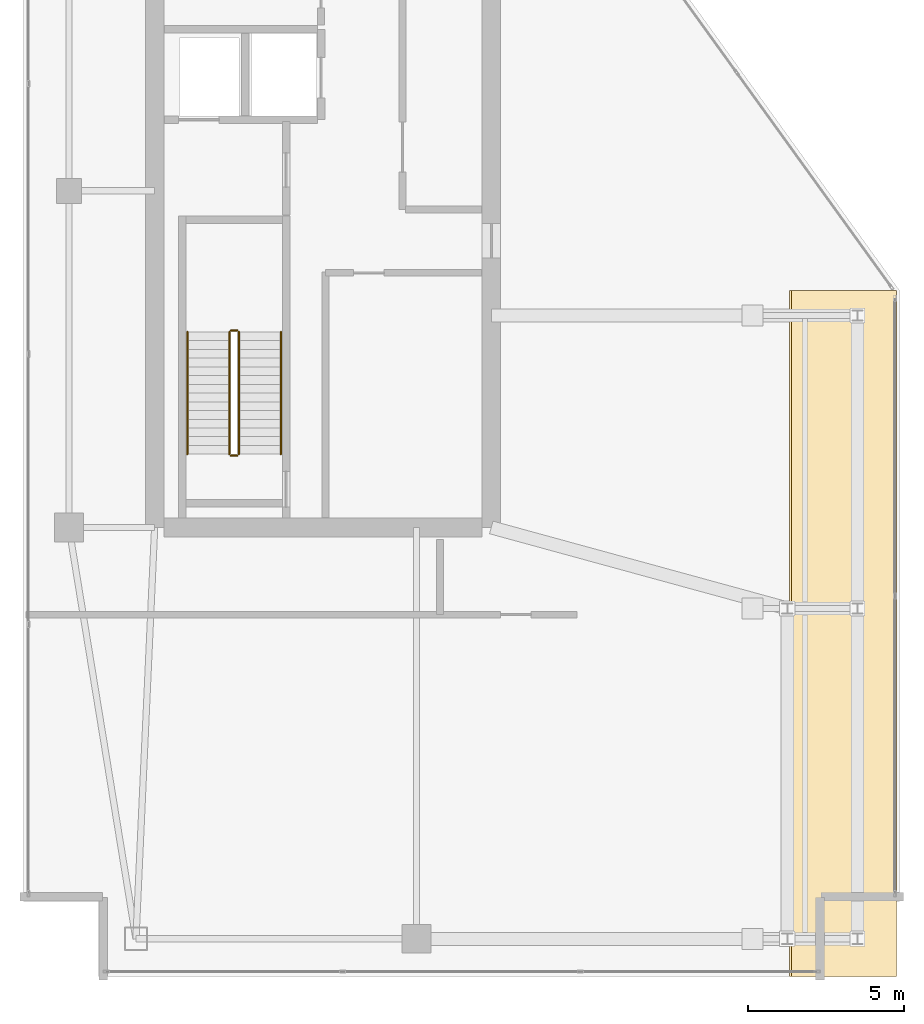
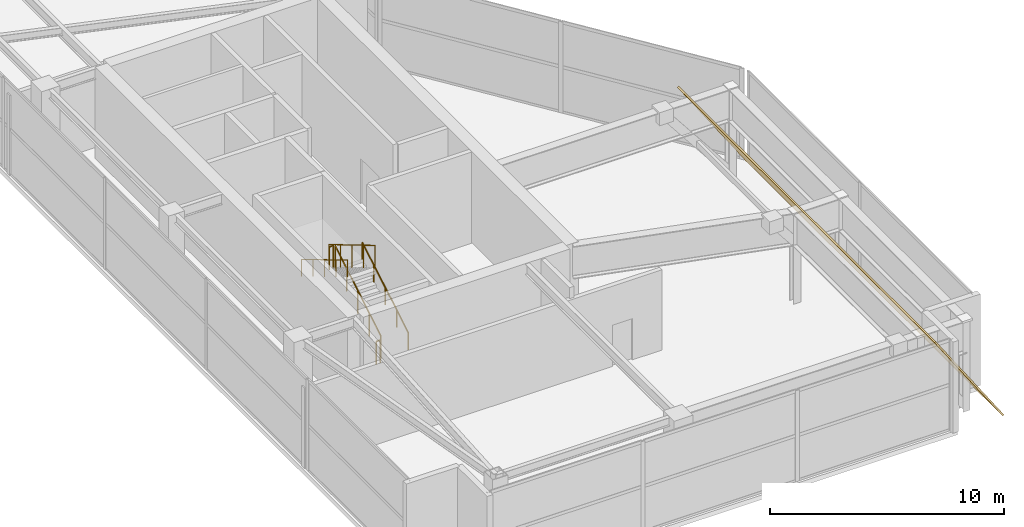
# One storey, part 20 of 21: 6 railings, 1 covering.
"""IFC4 building model written with IfcOpenShell, lengths in metres."""

from ifc_helpers import new_model, si_unit, direction, frame, origin, origin_2d, place, context, subcontext, project, spatial, polyline, circle, outline, extrude, material, layer, layer_set, type_object, element, save


model = new_model("IFC4")

# Units and contexts
model_context = context("Model", 3, precision=1e-05, world=origin(), true_north=direction((0.0, 1.0)))
body_context = subcontext(model_context, "Body", "Model", "MODEL_VIEW")
ifc_project = project(units=[si_unit("LENGTHUNIT", "METRE"), si_unit("AREAUNIT", "SQUARE_METRE"), si_unit("VOLUMEUNIT", "CUBIC_METRE"), si_unit("PLANEANGLEUNIT", "RADIAN"), si_unit("MASSUNIT", "GRAM", prefix="KILO")], contexts=[model_context])

# Site, building, storey
site_placement = place(None, origin())
site = spatial("IfcSite", under=ifc_project, at=site_placement, CompositionType="ELEMENT")
building_placement = place(site_placement, origin())
building = spatial("IfcBuilding", under=site, at=building_placement, Name="Calvorn Quay Hotel", CompositionType="ELEMENT")
storey_placement = place(building_placement, frame((0.0, 0.0, 330.5)))
storey = spatial("IfcBuildingStorey", under=building, at=storey_placement, Name="L81", CompositionType="ELEMENT", Elevation=330.5)

# Covering
ifc_material_1 = material(Name="Insulated Elastomeric Waterproof Roofing")
ifc_layer = layer(ifc_material_1, 0.080078125)
ifc_layer_set = layer_set([ifc_layer], Name="COV-ROOF-MEMBRANE")
covering_type = type_object("IfcCoveringType", Name="COV-ROOF-MEMBRANE", PredefinedType="ROOFING", material=ifc_layer_set)
covering_placement = place(storey_placement, frame((24.633056640625, 2.39990234375, 5.0), z_axis=(0.829467945926, 0.0, 0.55855431847), x_axis=(0.55855431847, 0.0, -0.829467945926)))
element("IfcCovering", 1, at=covering_placement, inside=storey, type_object=covering_type, Name="Slanted-Cut Crown Roof Cladding L81", PredefinedType="ROOFING", context=body_context, shape_type="SweptSolid", body=[
    extrude(outline(polyline([(0.0, 0.0), (6.027960483052241, 0.0), (6.027960483052241, 22.0), (0.0, 22.0), (0.0, 0.0)])), origin(), (0.0, 0.0, -1.0), 0.080078125),
])

# Railings
ifc_material_2 = material(Name="Brushed Stainless Steel Handrail", Category="steel")
railing_type_1 = type_object("IfcRailingType", Name="RLG-HANDRAIL-900", PredefinedType="HANDRAIL", material=ifc_material_2)
railing_1_placement = place(storey_placement, frame((8.25, 19.14990234375, 0.166748046875)))
element("IfcRailing", 2, at=railing_1_placement, inside=storey, type_object=railing_type_1, Name="L81 ST-W stair handrail 1", PredefinedType="HANDRAIL", context=body_context, shape_type="SweptSolid", body=[
    extrude(circle(Radius=0.02392578125, at=origin_2d()), frame((0.0, 0.0, 0.8759765625), z_axis=(0.0, 0.859310244771, 0.511454693235), x_axis=(-1.0, 0.0, 0.0)), (0.0, 0.0, 1.0), 4.56201171875),
    extrude(circle(Radius=0.02099609375, at=origin_2d()), origin(), (0.0, 0.0, 1.0), 0.851806640625),
    extrude(circle(Radius=0.02099609375, at=origin_2d()), frame((0.0, 0.97998046875, 0.583251953125)), (0.0, 0.0, 1.0), 0.851806640625),
    extrude(circle(Radius=0.02099609375, at=origin_2d()), frame((0.0, 1.9599609375, 1.16650390625)), (0.0, 0.0, 1.0), 0.851806640625),
    extrude(circle(Radius=0.02099609375, at=origin_2d()), frame((0.0, 2.940185546875, 1.75)), (0.0, 0.0, 1.0), 0.851806640625),
    extrude(circle(Radius=0.02099609375, at=origin_2d()), frame((0.0, 3.920166015625, 2.333251953125)), (0.0, 0.0, 1.0), 0.851806640625),
])
railing_2_placement = place(storey_placement, frame((5.25, 23.070068359375, 2.666748046875)))
element("IfcRailing", 3, at=railing_2_placement, inside=storey, type_object=railing_type_1, Name="L81 ST-W stair handrail 2", PredefinedType="HANDRAIL", context=body_context, shape_type="SweptSolid", body=[
    extrude(circle(Radius=0.02392578125, at=origin_2d()), frame((0.0, 0.0, 0.8759765625), z_axis=(0.0, -0.859310244771, 0.511454693235), x_axis=(1.0, 0.0, 0.0)), (0.0, 0.0, 1.0), 4.56201171875),
    extrude(circle(Radius=0.02099609375, at=origin_2d()), origin(), (0.0, 0.0, 1.0), 0.851806640625),
    extrude(circle(Radius=0.02099609375, at=origin_2d()), frame((0.0, -0.97998046875, 0.583251953125)), (0.0, 0.0, 1.0), 0.851806640625),
    extrude(circle(Radius=0.02099609375, at=origin_2d()), frame((0.0, -1.9599609375, 1.16650390625)), (0.0, 0.0, 1.0), 0.851806640625),
    extrude(circle(Radius=0.02099609375, at=origin_2d()), frame((0.0, -2.940185546875, 1.75)), (0.0, 0.0, 1.0), 0.851806640625),
    extrude(circle(Radius=0.02099609375, at=origin_2d()), frame((0.0, -3.920166015625, 2.333251953125)), (0.0, 0.0, 1.0), 0.851806640625),
])
ifc_material_3 = material(Name="Painted Galvanised Steel Balustrade", Category="steel")
railing_type_2 = type_object("IfcRailingType", Name="RLG-STAIR-GUARD-1120", PredefinedType="GUARDRAIL", material=ifc_material_3)
railing_3_placement = place(storey_placement, frame((6.89990234375, 19.14990234375, 0.166748046875)))
element("IfcRailing", 4, at=railing_3_placement, inside=storey, type_object=railing_type_2, Name="L81 ST-W stair guard 1", PredefinedType="GUARDRAIL", context=body_context, shape_type="SweptSolid", body=[
    extrude(circle(Radius=0.02392578125, at=origin_2d()), frame((0.0, 0.0, 1.17578125), z_axis=(0.0, 0.859310244771, 0.511454693235), x_axis=(-1.0, 0.0, 0.0)), (0.0, 0.0, 1.0), 4.56201171875),
    extrude(circle(Radius=0.02099609375, at=origin_2d()), origin(), (0.0, 0.0, 1.0), 1.15185546875),
    extrude(circle(Radius=0.02099609375, at=origin_2d()), frame((0.0, 0.97998046875, 0.583251953125)), (0.0, 0.0, 1.0), 1.15185546875),
    extrude(circle(Radius=0.02099609375, at=origin_2d()), frame((0.0, 1.9599609375, 1.16650390625)), (0.0, 0.0, 1.0), 1.15185546875),
    extrude(circle(Radius=0.02099609375, at=origin_2d()), frame((0.0, 2.940185546875, 1.75)), (0.0, 0.0, 1.0), 1.15185546875),
    extrude(circle(Radius=0.02099609375, at=origin_2d()), frame((0.0, 3.920166015625, 2.333251953125)), (0.0, 0.0, 1.0), 1.15185546875),
])
railing_4_placement = place(storey_placement, frame((6.85009765625, 23.1201171875, 2.5)))
element("IfcRailing", 5, at=railing_4_placement, inside=storey, type_object=railing_type_2, Name="L81 ST-W stair guard 2", PredefinedType="GUARDRAIL", context=body_context, shape_type="SweptSolid", body=[
    extrude(circle(Radius=0.02392578125, at=origin_2d()), frame((0.0, 0.0, 1.17578125), z_axis=(-1.0, 0.0, 0.0), x_axis=(0.0, -1.0, 0.0)), (0.0, 0.0, 1.0), 0.2001953125),
    extrude(circle(Radius=0.02099609375, at=origin_2d()), origin(), (0.0, 0.0, 1.0), 1.15185546875),
    extrude(circle(Radius=0.02099609375, at=origin_2d()), frame((-0.2001953125, 0.0, 0.0)), (0.0, 0.0, 1.0), 1.15185546875),
])
railing_5_placement = place(storey_placement, frame((6.60009765625, 23.070068359375, 2.666748046875)))
element("IfcRailing", 6, at=railing_5_placement, inside=storey, type_object=railing_type_2, Name="L81 ST-W stair guard 3", PredefinedType="GUARDRAIL", context=body_context, shape_type="SweptSolid", body=[
    extrude(circle(Radius=0.02392578125, at=origin_2d()), frame((0.0, 0.0, 1.17578125), z_axis=(0.0, -0.859310244771, 0.511454693235), x_axis=(1.0, 0.0, 0.0)), (0.0, 0.0, 1.0), 4.56201171875),
    extrude(circle(Radius=0.02099609375, at=origin_2d()), origin(), (0.0, 0.0, 1.0), 1.15185546875),
    extrude(circle(Radius=0.02099609375, at=origin_2d()), frame((0.0, -0.97998046875, 0.583251953125)), (0.0, 0.0, 1.0), 1.15185546875),
    extrude(circle(Radius=0.02099609375, at=origin_2d()), frame((0.0, -1.9599609375, 1.16650390625)), (0.0, 0.0, 1.0), 1.15185546875),
    extrude(circle(Radius=0.02099609375, at=origin_2d()), frame((0.0, -2.940185546875, 1.75)), (0.0, 0.0, 1.0), 1.15185546875),
    extrude(circle(Radius=0.02099609375, at=origin_2d()), frame((0.0, -3.920166015625, 2.333251953125)), (0.0, 0.0, 1.0), 1.15185546875),
])
railing_6_placement = place(storey_placement, frame((6.85009765625, 19.10009765625, 0.0)))
element("IfcRailing", 7, at=railing_6_placement, inside=storey, type_object=railing_type_2, Name="L81 ST-W stair guard 4", PredefinedType="GUARDRAIL", context=body_context, shape_type="SweptSolid", body=[
    extrude(circle(Radius=0.02392578125, at=origin_2d()), frame((0.0, 0.0, 1.17578125), z_axis=(-1.0, 0.0, 0.0), x_axis=(0.0, -1.0, 0.0)), (0.0, 0.0, 1.0), 0.2001953125),
    extrude(circle(Radius=0.02099609375, at=origin_2d()), origin(), (0.0, 0.0, 1.0), 1.15185546875),
    extrude(circle(Radius=0.02099609375, at=origin_2d()), frame((-0.2001953125, 0.0, 0.0)), (0.0, 0.0, 1.0), 1.15185546875),
])

save(model, "model.ifc")
